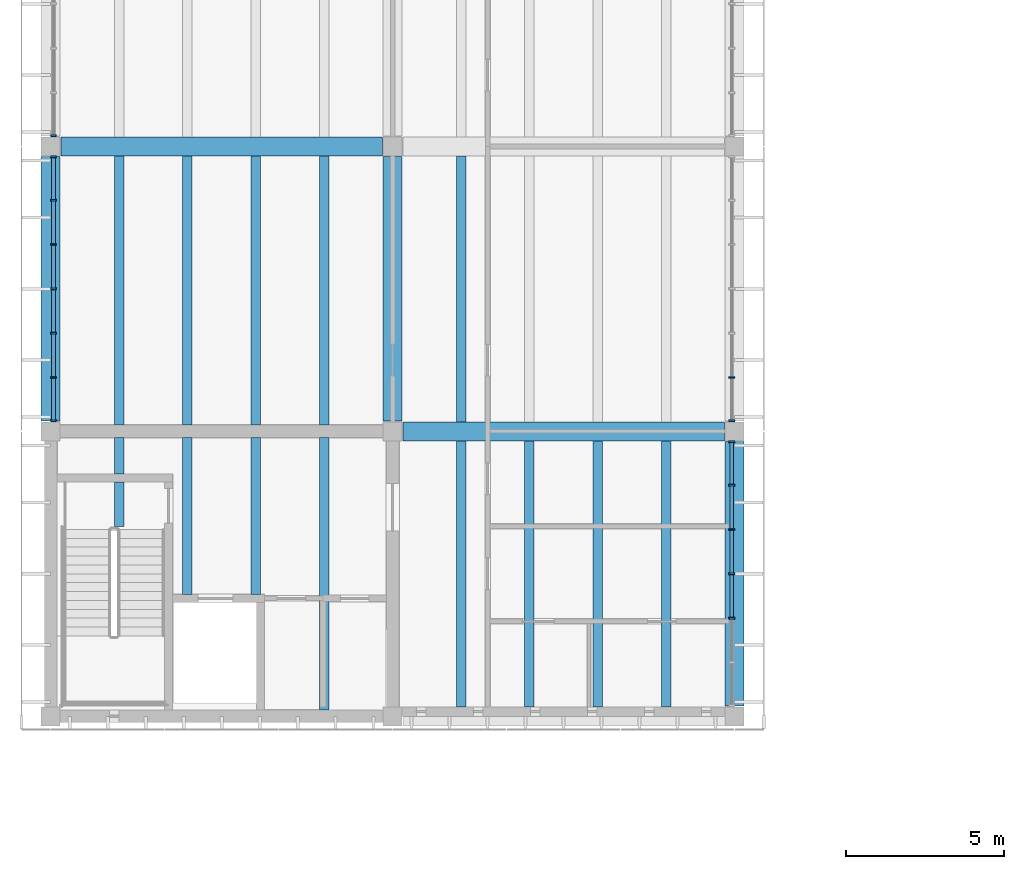
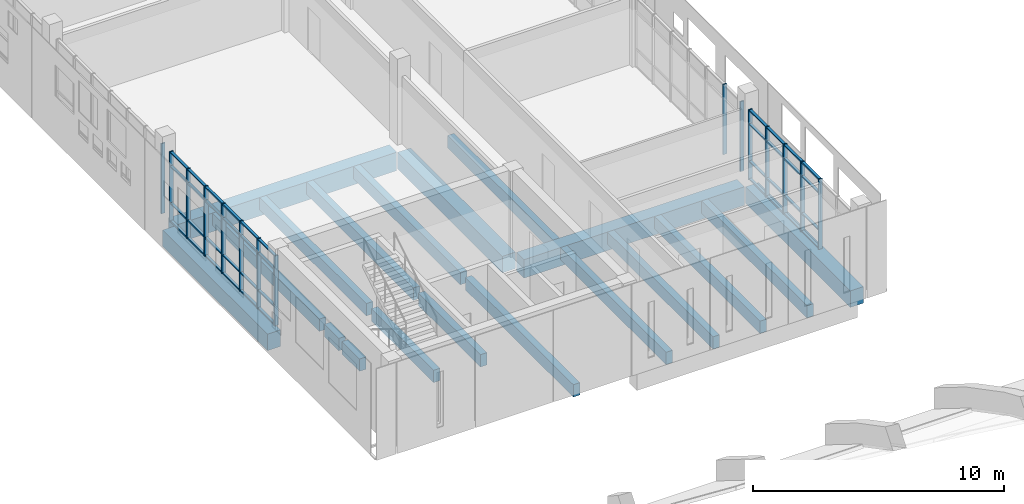
# One storey, part 14 of 88: 55 members, 19 beams, 4 elements without a shape of their own.
"""IFC4 building model written with IfcOpenShell, lengths in metres."""

import ifcopenshell
import ifcopenshell.guid

model = None  # the IFC model being written
_history = None  # IfcOwnerHistory: only IFC2X3 demands one
_inside = {}  # id of a spatial element -> (the spatial element, [elements in it])
_under = {}  # id of a project, library or spatial element -> (it, [spatial elements below it])
_declared = {}  # id of a project -> (the project, [libraries it declares])
_typed = {}  # id of a type object -> (the type object, [elements of that type])
_made_of = {}  # id of a material, layer set ... -> (it, [elements and type objects made of it])


def new_model(schema):
    """Start an empty IFC model of exactly this schema.

    Asked for "IFC4X3", IfcOpenShell would pick the latest addendum, in which some entities
    have other attributes; the version numbers below select the first issue.
    IFC2X3 requires an IfcOwnerHistory on every rooted entity: one is made here for all.
    """
    global model, _history
    if schema == "IFC4X3":
        model = ifcopenshell.file(schema_version=(4, 3, 0, 0))
    else:
        model = ifcopenshell.file(schema=schema)
    _inside.clear()
    _under.clear()
    _declared.clear()
    _typed.clear()
    _made_of.clear()
    _history = None
    if model.schema == "IFC2X3":
        org = make("IfcOrganization", Name="unknown")
        user = make(
            "IfcPersonAndOrganization",
            ThePerson=make("IfcPerson", FamilyName="unknown"),
            TheOrganization=org,
        )
        app = make(
            "IfcApplication",
            ApplicationDeveloper=org,
            Version="unknown",
            ApplicationFullName="unknown",
            ApplicationIdentifier="unknown",
        )
        _history = make(
            "IfcOwnerHistory",
            OwningUser=user,
            OwningApplication=app,
            ChangeAction="ADDED",
            CreationDate=0,
        )
    return model


def make(cls, **values):
    """One entity of the class cls with the attributes given. An attribute that is None is left unset."""
    return model.create_entity(
        cls, **{name: value for name, value in values.items() if value is not None}
    )


def rooted(cls, **values):
    """An entity with a GlobalId (a new one), such as an element, a storey or a relation."""
    return make(cls, GlobalId=ifcopenshell.guid.new(), OwnerHistory=_history, **values)


def si_unit(unit_type, name, prefix=None):
    """IfcSIUnit, for example si_unit("LENGTHUNIT", "METRE", prefix="MILLI")."""
    return make("IfcSIUnit", UnitType=unit_type, Prefix=prefix, Name=name)


def assignment(units):
    """IfcUnitAssignment: the units of a project."""
    return None if units is None else make("IfcUnitAssignment", Units=units)


def point(xyz):
    """IfcCartesianPoint."""
    return None if xyz is None else make("IfcCartesianPoint", Coordinates=xyz)


def direction(xyz):
    """IfcDirection."""
    return None if xyz is None else make("IfcDirection", DirectionRatios=xyz)


def frame(location, z_axis=None, x_axis=None):
    """IfcAxis2Placement3D, a coordinate frame: its origin and axes. An axis left out is left unset."""
    return make(
        "IfcAxis2Placement3D",
        Location=point(location),
        Axis=direction(z_axis),
        RefDirection=direction(x_axis),
    )


def frame_2d(location, x_axis=None):
    """IfcAxis2Placement2D, a coordinate frame in the plane: its origin and x axis."""
    return make(
        "IfcAxis2Placement2D", Location=point(location), RefDirection=direction(x_axis)
    )


def origin():
    """The frame at (0, 0, 0) with its axes left unset."""
    return frame((0.0, 0.0, 0.0))


def origin_2d():
    """The frame at (0, 0) in the plane with its x axis left unset."""
    return frame_2d((0.0, 0.0))


def place(relative_to, where):
    """IfcLocalPlacement: puts the frame where relative to a parent placement (None: the world)."""
    return make(
        "IfcLocalPlacement", PlacementRelTo=relative_to, RelativePlacement=where
    )


def context(
    kind, dimensions, precision=None, world=None, true_north=None, identifier=None
):
    """IfcGeometricRepresentationContext, for example the 3D "Model" context."""
    return make(
        "IfcGeometricRepresentationContext",
        ContextIdentifier=identifier,
        ContextType=kind,
        CoordinateSpaceDimension=dimensions,
        Precision=precision,
        WorldCoordinateSystem=world,
        TrueNorth=true_north,
    )


def subcontext(parent, identifier, kind, view, scale=None):
    """IfcGeometricRepresentationSubContext, for example "Body" below "Model"."""
    return make(
        "IfcGeometricRepresentationSubContext",
        ContextIdentifier=identifier,
        ContextType=kind,
        ParentContext=parent,
        TargetScale=scale,
        TargetView=view,
    )


def project(units=None, contexts=None):
    """IfcProject with its units and contexts."""
    return rooted(
        "IfcProject",
        Name="project",
        RepresentationContexts=contexts,
        UnitsInContext=assignment(units),
    )


def spatial(cls, under=None, at=None, **own):
    """A site, building, storey or space (cls), placed at a placement, below another one or the project."""
    s = rooted(cls, ObjectPlacement=at, **own)
    if under is not None:
        _under.setdefault(under.id(), (under, []))[1].append(s)
    return s


def profile(cls, at=None, kind="AREA", **sizes):
    """A parametric profile (cls). Its sizes go by their IFC names, for example OverallWidth=200.0."""
    return make(cls, ProfileType=kind, Position=at, **sizes)


def rectangle(**sizes):
    """IfcRectangleProfileDef."""
    return profile("IfcRectangleProfileDef", **sizes)


def extrude(swept, where, along, depth):
    """IfcExtrudedAreaSolid: the profile swept, set in the frame where, extruded along a direction by depth."""
    return make(
        "IfcExtrudedAreaSolid",
        SweptArea=swept,
        Position=where,
        ExtrudedDirection=direction(along),
        Depth=depth,
    )


def shape(context_of_items, identifier, shape_type, items):
    """IfcShapeRepresentation: the items that make up one representation, for example the "Body"."""
    return make(
        "IfcShapeRepresentation",
        ContextOfItems=context_of_items,
        RepresentationIdentifier=identifier,
        RepresentationType=shape_type,
        Items=items,
    )


def material(Name=None, Category=None):
    """IfcMaterial."""
    return make("IfcMaterial", Name=Name, Category=Category)


def material_profile(
    of_material, cross_section, Name=None, Category=None, Priority=None
):
    """IfcMaterialProfile: a cross section and its material."""
    return make(
        "IfcMaterialProfile",
        Name=Name,
        Material=of_material,
        Profile=cross_section,
        Priority=Priority,
        Category=Category,
    )


def profile_set(profiles, Name=None, composite=None):
    """IfcMaterialProfileSet."""
    return make(
        "IfcMaterialProfileSet",
        Name=Name,
        MaterialProfiles=profiles,
        CompositeProfile=composite,
    )


def made_of(thing, what):
    """Note that an element or type object is made of a material, layer set ...; save() writes the relation."""
    if what is not None:
        _made_of.setdefault(what.id(), (what, []))[1].append(thing)
    return thing


def type_object(cls, material=None, **own):
    """A type object (cls), such as IfcWallType, which elements share."""
    return made_of(rooted(cls, **own), material)


def element(
    cls,
    number,
    at=None,
    inside=None,
    cuts=None,
    type_object=None,
    material=None,
    context=None,
    identifier="Body",
    shape_type=None,
    held_by="IfcProductDefinitionShape",
    body=None,
    shapes=None,
    **own,
):
    """One element of the class cls, such as IfcWall. Its Tag is "e" and its number.

    at: its placement. inside: the storey or other place that contains it. cuts: it is an
    opening in that element (IfcRelVoidsElement). A single representation is given by context,
    identifier, shape_type and body (its items); several are given by shapes. held_by: the class
    of the entity that holds the representations. save() writes the other relations.
    """
    e = rooted(cls, Tag="e%d" % number, ObjectPlacement=at, **own)
    if body is not None:
        shapes = [shape(context, identifier, shape_type, body)]
    if shapes is not None:
        e.Representation = make(held_by, Representations=shapes)
    if inside is not None:
        _inside.setdefault(inside.id(), (inside, []))[1].append(e)
    if cuts is not None:
        rooted(
            "IfcRelVoidsElement", RelatingBuildingElement=cuts, RelatedOpeningElement=e
        )
    if type_object is not None:
        _typed.setdefault(type_object.id(), (type_object, []))[1].append(e)
    return made_of(e, material)


def aggregate(whole, parts):
    """IfcRelAggregates: a whole, such as a stair, and the parts it consists of."""
    return rooted("IfcRelAggregates", RelatingObject=whole, RelatedObjects=parts)


def save(model, path):
    """Write the relations noted so far, then the file.

    IfcRelAggregates (storeys below a building ...), IfcRelContainedInSpatialStructure (elements
    in a storey), IfcRelDefinesByType, IfcRelAssociatesMaterial and IfcRelDeclares: one each for
    every whole, place, type object, material and project.
    """
    for whole, parts in _under.values():
        aggregate(whole, parts)
    for where, things in _inside.values():
        rooted(
            "IfcRelContainedInSpatialStructure",
            RelatedElements=things,
            RelatingStructure=where,
        )
    for kind, things in _typed.values():
        rooted("IfcRelDefinesByType", RelatedObjects=things, RelatingType=kind)
    for what, things in _made_of.values():
        rooted("IfcRelAssociatesMaterial", RelatedObjects=things, RelatingMaterial=what)
    for by, libraries in _declared.values():
        rooted("IfcRelDeclares", RelatingContext=by, RelatedDefinitions=libraries)
    model.write(path)


model = new_model("IFC4")

# Units and contexts
model_context = context("Model", 3, precision=1e-05, world=origin(), true_north=direction((0.0, 1.0)))
body_context = subcontext(model_context, "Body", "Model", "MODEL_VIEW")
ifc_project = project(units=[si_unit("LENGTHUNIT", "METRE"), si_unit("AREAUNIT", "SQUARE_METRE"), si_unit("VOLUMEUNIT", "CUBIC_METRE"), si_unit("PLANEANGLEUNIT", "RADIAN"), si_unit("MASSUNIT", "GRAM", prefix="KILO")], contexts=[model_context])

# Site, building, storey
site_placement = place(None, origin())
site = spatial("IfcSite", under=ifc_project, at=site_placement, CompositionType="ELEMENT")
building_placement = place(site_placement, origin())
building = spatial("IfcBuilding", under=site, at=building_placement, Name="Merrow Basin Faculty of Sciences", CompositionType="ELEMENT")
storey_placement = place(building_placement, frame((0.0, 0.0, 9.0)))
storey = spatial("IfcBuildingStorey", under=building, at=storey_placement, Name="L02", CompositionType="ELEMENT", Elevation=9.0)

# Curtain wall, members
ifc_material_1 = material(Name="Aluminium alloy 6063", Category="aluminium")
curtain_wall_type = type_object("IfcCurtainWallType", Name="Bar unitised curtain wall 180", PredefinedType="NOTDEFINED", material=ifc_material_1)
curtain_wall_1_placement = place(storey_placement, origin())
curtain_wall_1 = element("IfcCurtainWall", 1, at=curtain_wall_1_placement, inside=storey, type_object=curtain_wall_type, Name="West curtain wall L02 1", PredefinedType="NOTDEFINED")
ifc_material_2 = material(Name="Aluminium alloy 6063", Category="aluminium")
ifc_material_profile_1 = material_profile(ifc_material_2, rectangle(XDim=0.179931640625, YDim=0.06005859375, at=origin_2d()))
ifc_profile_set_1 = profile_set([ifc_material_profile_1], Name="Aluminium alloy 6063")
member_type_1 = type_object("IfcMemberType", Name="Aluminium mullion 60x180", PredefinedType="MULLION", material=ifc_profile_set_1)
member_1_placement = place(storey_placement, frame((0.090087890625, 70.330078125, 0.0), z_axis=(0.0, 0.0, 1.0), x_axis=(-1.0, 0.0, 0.0)))
member_1 = element("IfcMember", 2, at=member_1_placement, type_object=member_type_1, Name="CW1 mullion 1", PredefinedType="MULLION", context=body_context, shape_type="SweptSolid", body=[
    extrude(rectangle(XDim=0.179931640625, YDim=0.06005859375, at=origin_2d()), origin(), (0.0, 0.0, 1.0), 3.39990234375),
])
member_2_placement = place(storey_placement, frame((0.090087890625, 71.699951171875, 0.0), z_axis=(0.0, 0.0, 1.0), x_axis=(-1.0, 0.0, 0.0)))
member_2 = element("IfcMember", 3, at=member_2_placement, type_object=member_type_1, Name="CW1 mullion 2", PredefinedType="MULLION", context=body_context, shape_type="SweptSolid", body=[
    extrude(rectangle(XDim=0.179931640625, YDim=0.06005859375, at=origin_2d()), origin(), (0.0, 0.0, 1.0), 3.39990234375),
])
member_3_placement = place(storey_placement, frame((0.090087890625, 73.10009765625, 0.0), z_axis=(0.0, 0.0, 1.0), x_axis=(-1.0, 0.0, 0.0)))
member_3 = element("IfcMember", 4, at=member_3_placement, type_object=member_type_1, Name="CW1 mullion 3", PredefinedType="MULLION", context=body_context, shape_type="SweptSolid", body=[
    extrude(rectangle(XDim=0.179931640625, YDim=0.06005859375, at=origin_2d()), origin(), (0.0, 0.0, 1.0), 3.39990234375),
])
member_4_placement = place(storey_placement, frame((0.090087890625, 74.5, 0.0), z_axis=(0.0, 0.0, 1.0), x_axis=(-1.0, 0.0, 0.0)))
member_4 = element("IfcMember", 5, at=member_4_placement, type_object=member_type_1, Name="CW1 mullion 4", PredefinedType="MULLION", context=body_context, shape_type="SweptSolid", body=[
    extrude(rectangle(XDim=0.179931640625, YDim=0.06005859375, at=origin_2d()), origin(), (0.0, 0.0, 1.0), 3.39990234375),
])
member_5_placement = place(storey_placement, frame((0.090087890625, 75.89990234375, 0.0), z_axis=(0.0, 0.0, 1.0), x_axis=(-1.0, 0.0, 0.0)))
member_5 = element("IfcMember", 6, at=member_5_placement, type_object=member_type_1, Name="CW1 mullion 5", PredefinedType="MULLION", context=body_context, shape_type="SweptSolid", body=[
    extrude(rectangle(XDim=0.179931640625, YDim=0.06005859375, at=origin_2d()), origin(), (0.0, 0.0, 1.0), 3.39990234375),
])
member_6_placement = place(storey_placement, frame((0.090087890625, 77.300048828125, 0.0), z_axis=(0.0, 0.0, 1.0), x_axis=(-1.0, 0.0, 0.0)))
member_6 = element("IfcMember", 7, at=member_6_placement, type_object=member_type_1, Name="CW1 mullion 6", PredefinedType="MULLION", context=body_context, shape_type="SweptSolid", body=[
    extrude(rectangle(XDim=0.179931640625, YDim=0.06005859375, at=origin_2d()), origin(), (0.0, 0.0, 1.0), 3.39990234375),
])
member_7_placement = place(storey_placement, frame((0.090087890625, 78.669921875, 0.0), z_axis=(0.0, 0.0, 1.0), x_axis=(-1.0, 0.0, 0.0)))
member_7 = element("IfcMember", 8, at=member_7_placement, type_object=member_type_1, Name="CW1 mullion 7", PredefinedType="MULLION", context=body_context, shape_type="SweptSolid", body=[
    extrude(rectangle(XDim=0.179931640625, YDim=0.06005859375, at=origin_2d()), origin(), (0.0, 0.0, 1.0), 3.39990234375),
])

# Curtain wall, member
curtain_wall_2_placement = place(storey_placement, origin())
curtain_wall_2 = element("IfcCurtainWall", 9, at=curtain_wall_2_placement, inside=storey, type_object=curtain_wall_type, Name="West curtain wall L02 2", PredefinedType="NOTDEFINED")
member_8_placement = place(storey_placement, frame((0.090087890625, 79.330078125, 0.0), z_axis=(0.0, 0.0, 1.0), x_axis=(-1.0, 0.0, 0.0)))
member_8 = element("IfcMember", 10, at=member_8_placement, type_object=member_type_1, Name="CW1 mullion 1", PredefinedType="MULLION", context=body_context, shape_type="SweptSolid", body=[
    extrude(rectangle(XDim=0.179931640625, YDim=0.06005859375, at=origin_2d()), origin(), (0.0, 0.0, 1.0), 3.39990234375),
])
aggregate(curtain_wall_2, [member_8])

# Curtain wall, members
curtain_wall_3_placement = place(storey_placement, origin())
curtain_wall_3 = element("IfcCurtainWall", 11, at=curtain_wall_3_placement, inside=storey, type_object=curtain_wall_type, Name="East curtain wall L02 1", PredefinedType="NOTDEFINED")
member_9_placement = place(storey_placement, frame((21.510009765625, 64.10009765625, 0.0), z_axis=(0.0, 0.0, 1.0), x_axis=(-1.0, 0.0, 0.0)))
member_9 = element("IfcMember", 12, at=member_9_placement, type_object=member_type_1, Name="CW1 mullion 3", PredefinedType="MULLION", context=body_context, shape_type="SweptSolid", body=[
    extrude(rectangle(XDim=0.179931640625, YDim=0.06005859375, at=origin_2d()), origin(), (0.0, 0.0, 1.0), 3.39990234375),
])
member_10_placement = place(storey_placement, frame((21.510009765625, 65.5, 0.0), z_axis=(0.0, 0.0, 1.0), x_axis=(-1.0, 0.0, 0.0)))
member_10 = element("IfcMember", 13, at=member_10_placement, type_object=member_type_1, Name="CW1 mullion 4", PredefinedType="MULLION", context=body_context, shape_type="SweptSolid", body=[
    extrude(rectangle(XDim=0.179931640625, YDim=0.06005859375, at=origin_2d()), origin(), (0.0, 0.0, 1.0), 3.39990234375),
])
member_11_placement = place(storey_placement, frame((21.510009765625, 66.89990234375, 0.0), z_axis=(0.0, 0.0, 1.0), x_axis=(-1.0, 0.0, 0.0)))
member_11 = element("IfcMember", 14, at=member_11_placement, type_object=member_type_1, Name="CW1 mullion 5", PredefinedType="MULLION", context=body_context, shape_type="SweptSolid", body=[
    extrude(rectangle(XDim=0.179931640625, YDim=0.06005859375, at=origin_2d()), origin(), (0.0, 0.0, 1.0), 3.39990234375),
])
member_12_placement = place(storey_placement, frame((21.510009765625, 68.300048828125, 0.0), z_axis=(0.0, 0.0, 1.0), x_axis=(-1.0, 0.0, 0.0)))
member_12 = element("IfcMember", 15, at=member_12_placement, type_object=member_type_1, Name="CW1 mullion 6", PredefinedType="MULLION", context=body_context, shape_type="SweptSolid", body=[
    extrude(rectangle(XDim=0.179931640625, YDim=0.06005859375, at=origin_2d()), origin(), (0.0, 0.0, 1.0), 3.39990234375),
])
member_13_placement = place(storey_placement, frame((21.510009765625, 69.669921875, 0.0), z_axis=(0.0, 0.0, 1.0), x_axis=(-1.0, 0.0, 0.0)))
member_13 = element("IfcMember", 16, at=member_13_placement, type_object=member_type_1, Name="CW1 mullion 7", PredefinedType="MULLION", context=body_context, shape_type="SweptSolid", body=[
    extrude(rectangle(XDim=0.179931640625, YDim=0.06005859375, at=origin_2d()), origin(), (0.0, 0.0, 1.0), 3.39990234375),
])

curtain_wall_4_placement = place(storey_placement, origin())
curtain_wall_4 = element("IfcCurtainWall", 17, at=curtain_wall_4_placement, inside=storey, type_object=curtain_wall_type, Name="East curtain wall L02 2", PredefinedType="NOTDEFINED")
member_14_placement = place(storey_placement, frame((21.510009765625, 70.330078125, 0.0), z_axis=(0.0, 0.0, 1.0), x_axis=(-1.0, 0.0, 0.0)))
member_14 = element("IfcMember", 18, at=member_14_placement, type_object=member_type_1, Name="CW1 mullion 1", PredefinedType="MULLION", context=body_context, shape_type="SweptSolid", body=[
    extrude(rectangle(XDim=0.179931640625, YDim=0.06005859375, at=origin_2d()), origin(), (0.0, 0.0, 1.0), 3.39990234375),
])
member_15_placement = place(storey_placement, frame((21.510009765625, 71.699951171875, 0.0), z_axis=(0.0, 0.0, 1.0), x_axis=(-1.0, 0.0, 0.0)))
member_15 = element("IfcMember", 19, at=member_15_placement, type_object=member_type_1, Name="CW1 mullion 2", PredefinedType="MULLION", context=body_context, shape_type="SweptSolid", body=[
    extrude(rectangle(XDim=0.179931640625, YDim=0.06005859375, at=origin_2d()), origin(), (0.0, 0.0, 1.0), 3.39990234375),
])
aggregate(curtain_wall_4, [member_14, member_15])

# Member
ifc_material_3 = material(Name="Aluminium alloy 6063", Category="aluminium")
ifc_material_profile_2 = material_profile(ifc_material_3, rectangle(XDim=0.1201171875, YDim=0.06005859375, at=origin_2d()))
ifc_profile_set_2 = profile_set([ifc_material_profile_2], Name="Aluminium alloy 6063")
member_type_2 = type_object("IfcMemberType", Name="Aluminium transom 60x120", PredefinedType="USERDEFINED", material=ifc_profile_set_2)
member_16_placement = place(storey_placement, frame((0.090087890625, 70.360107421875, 0.030029296875), z_axis=(0.0, 1.0, 0.0), x_axis=(-1.0, 0.0, 0.0)))
member_16 = element("IfcMember", 20, at=member_16_placement, type_object=member_type_2, Name="CW1 transom 1.1", ObjectType="TRANSOM", PredefinedType="USERDEFINED", context=body_context, shape_type="SweptSolid", body=[
    extrude(rectangle(XDim=0.1201171875, YDim=0.06005859375, at=origin_2d()), origin(), (0.0, 0.0, 1.0), 1.309814453125),
])

member_17_placement = place(storey_placement, frame((0.090087890625, 70.360107421875, 0.89990234375), z_axis=(0.0, 1.0, 0.0), x_axis=(-1.0, 0.0, 0.0)))
member_17 = element("IfcMember", 21, at=member_17_placement, type_object=member_type_2, Name="CW1 transom 1.2", ObjectType="TRANSOM", PredefinedType="USERDEFINED", context=body_context, shape_type="SweptSolid", body=[
    extrude(rectangle(XDim=0.1201171875, YDim=0.06005859375, at=origin_2d()), origin(), (0.0, 0.0, 1.0), 1.309814453125),
])

member_18_placement = place(storey_placement, frame((0.090087890625, 70.360107421875, 2.699951171875), z_axis=(0.0, 1.0, 0.0), x_axis=(-1.0, 0.0, 0.0)))
member_18 = element("IfcMember", 22, at=member_18_placement, type_object=member_type_2, Name="CW1 transom 1.3", ObjectType="TRANSOM", PredefinedType="USERDEFINED", context=body_context, shape_type="SweptSolid", body=[
    extrude(rectangle(XDim=0.1201171875, YDim=0.06005859375, at=origin_2d()), origin(), (0.0, 0.0, 1.0), 1.309814453125),
])

member_19_placement = place(storey_placement, frame((0.090087890625, 70.360107421875, 3.3701171875), z_axis=(0.0, 1.0, 0.0), x_axis=(-1.0, 0.0, 0.0)))
member_19 = element("IfcMember", 23, at=member_19_placement, type_object=member_type_2, Name="CW1 transom 1.4", ObjectType="TRANSOM", PredefinedType="USERDEFINED", context=body_context, shape_type="SweptSolid", body=[
    extrude(rectangle(XDim=0.1201171875, YDim=0.06005859375, at=origin_2d()), origin(), (0.0, 0.0, 1.0), 1.309814453125),
])

member_20_placement = place(storey_placement, frame((0.090087890625, 71.72998046875, 0.030029296875), z_axis=(0.0, 1.0, 0.0), x_axis=(-1.0, 0.0, 0.0)))
member_20 = element("IfcMember", 24, at=member_20_placement, type_object=member_type_2, Name="CW1 transom 2.1", ObjectType="TRANSOM", PredefinedType="USERDEFINED", context=body_context, shape_type="SweptSolid", body=[
    extrude(rectangle(XDim=0.1201171875, YDim=0.06005859375, at=origin_2d()), origin(), (0.0, 0.0, 1.0), 1.340087890625),
])

member_21_placement = place(storey_placement, frame((0.090087890625, 71.72998046875, 0.89990234375), z_axis=(0.0, 1.0, 0.0), x_axis=(-1.0, 0.0, 0.0)))
member_21 = element("IfcMember", 25, at=member_21_placement, type_object=member_type_2, Name="CW1 transom 2.2", ObjectType="TRANSOM", PredefinedType="USERDEFINED", context=body_context, shape_type="SweptSolid", body=[
    extrude(rectangle(XDim=0.1201171875, YDim=0.06005859375, at=origin_2d()), origin(), (0.0, 0.0, 1.0), 1.340087890625),
])

member_22_placement = place(storey_placement, frame((0.090087890625, 71.72998046875, 2.699951171875), z_axis=(0.0, 1.0, 0.0), x_axis=(-1.0, 0.0, 0.0)))
member_22 = element("IfcMember", 26, at=member_22_placement, type_object=member_type_2, Name="CW1 transom 2.3", ObjectType="TRANSOM", PredefinedType="USERDEFINED", context=body_context, shape_type="SweptSolid", body=[
    extrude(rectangle(XDim=0.1201171875, YDim=0.06005859375, at=origin_2d()), origin(), (0.0, 0.0, 1.0), 1.340087890625),
])

member_23_placement = place(storey_placement, frame((0.090087890625, 71.72998046875, 3.3701171875), z_axis=(0.0, 1.0, 0.0), x_axis=(-1.0, 0.0, 0.0)))
member_23 = element("IfcMember", 27, at=member_23_placement, type_object=member_type_2, Name="CW1 transom 2.4", ObjectType="TRANSOM", PredefinedType="USERDEFINED", context=body_context, shape_type="SweptSolid", body=[
    extrude(rectangle(XDim=0.1201171875, YDim=0.06005859375, at=origin_2d()), origin(), (0.0, 0.0, 1.0), 1.340087890625),
])

member_24_placement = place(storey_placement, frame((0.090087890625, 73.1298828125, 0.030029296875), z_axis=(0.0, 1.0, 0.0), x_axis=(-1.0, 0.0, 0.0)))
member_24 = element("IfcMember", 28, at=member_24_placement, type_object=member_type_2, Name="CW1 transom 3.1", ObjectType="TRANSOM", PredefinedType="USERDEFINED", context=body_context, shape_type="SweptSolid", body=[
    extrude(rectangle(XDim=0.1201171875, YDim=0.06005859375, at=origin_2d()), origin(), (0.0, 0.0, 1.0), 1.340087890625),
])

member_25_placement = place(storey_placement, frame((0.090087890625, 73.1298828125, 0.89990234375), z_axis=(0.0, 1.0, 0.0), x_axis=(-1.0, 0.0, 0.0)))
member_25 = element("IfcMember", 29, at=member_25_placement, type_object=member_type_2, Name="CW1 transom 3.2", ObjectType="TRANSOM", PredefinedType="USERDEFINED", context=body_context, shape_type="SweptSolid", body=[
    extrude(rectangle(XDim=0.1201171875, YDim=0.06005859375, at=origin_2d()), origin(), (0.0, 0.0, 1.0), 1.340087890625),
])

member_26_placement = place(storey_placement, frame((0.090087890625, 73.1298828125, 2.699951171875), z_axis=(0.0, 1.0, 0.0), x_axis=(-1.0, 0.0, 0.0)))
member_26 = element("IfcMember", 30, at=member_26_placement, type_object=member_type_2, Name="CW1 transom 3.3", ObjectType="TRANSOM", PredefinedType="USERDEFINED", context=body_context, shape_type="SweptSolid", body=[
    extrude(rectangle(XDim=0.1201171875, YDim=0.06005859375, at=origin_2d()), origin(), (0.0, 0.0, 1.0), 1.340087890625),
])

member_27_placement = place(storey_placement, frame((0.090087890625, 73.1298828125, 3.3701171875), z_axis=(0.0, 1.0, 0.0), x_axis=(-1.0, 0.0, 0.0)))
member_27 = element("IfcMember", 31, at=member_27_placement, type_object=member_type_2, Name="CW1 transom 3.4", ObjectType="TRANSOM", PredefinedType="USERDEFINED", context=body_context, shape_type="SweptSolid", body=[
    extrude(rectangle(XDim=0.1201171875, YDim=0.06005859375, at=origin_2d()), origin(), (0.0, 0.0, 1.0), 1.340087890625),
])

member_28_placement = place(storey_placement, frame((0.090087890625, 74.530029296875, 0.030029296875), z_axis=(0.0, 1.0, 0.0), x_axis=(-1.0, 0.0, 0.0)))
member_28 = element("IfcMember", 32, at=member_28_placement, type_object=member_type_2, Name="CW1 transom 4.1", ObjectType="TRANSOM", PredefinedType="USERDEFINED", context=body_context, shape_type="SweptSolid", body=[
    extrude(rectangle(XDim=0.1201171875, YDim=0.06005859375, at=origin_2d()), origin(), (0.0, 0.0, 1.0), 1.340087890625),
])

member_29_placement = place(storey_placement, frame((0.090087890625, 74.530029296875, 0.89990234375), z_axis=(0.0, 1.0, 0.0), x_axis=(-1.0, 0.0, 0.0)))
member_29 = element("IfcMember", 33, at=member_29_placement, type_object=member_type_2, Name="CW1 transom 4.2", ObjectType="TRANSOM", PredefinedType="USERDEFINED", context=body_context, shape_type="SweptSolid", body=[
    extrude(rectangle(XDim=0.1201171875, YDim=0.06005859375, at=origin_2d()), origin(), (0.0, 0.0, 1.0), 1.340087890625),
])

member_30_placement = place(storey_placement, frame((0.090087890625, 74.530029296875, 2.699951171875), z_axis=(0.0, 1.0, 0.0), x_axis=(-1.0, 0.0, 0.0)))
member_30 = element("IfcMember", 34, at=member_30_placement, type_object=member_type_2, Name="CW1 transom 4.3", ObjectType="TRANSOM", PredefinedType="USERDEFINED", context=body_context, shape_type="SweptSolid", body=[
    extrude(rectangle(XDim=0.1201171875, YDim=0.06005859375, at=origin_2d()), origin(), (0.0, 0.0, 1.0), 1.340087890625),
])

member_31_placement = place(storey_placement, frame((0.090087890625, 74.530029296875, 3.3701171875), z_axis=(0.0, 1.0, 0.0), x_axis=(-1.0, 0.0, 0.0)))
member_31 = element("IfcMember", 35, at=member_31_placement, type_object=member_type_2, Name="CW1 transom 4.4", ObjectType="TRANSOM", PredefinedType="USERDEFINED", context=body_context, shape_type="SweptSolid", body=[
    extrude(rectangle(XDim=0.1201171875, YDim=0.06005859375, at=origin_2d()), origin(), (0.0, 0.0, 1.0), 1.340087890625),
])

member_32_placement = place(storey_placement, frame((0.090087890625, 75.929931640625, 0.030029296875), z_axis=(0.0, 1.0, 0.0), x_axis=(-1.0, 0.0, 0.0)))
member_32 = element("IfcMember", 36, at=member_32_placement, type_object=member_type_2, Name="CW1 transom 5.1", ObjectType="TRANSOM", PredefinedType="USERDEFINED", context=body_context, shape_type="SweptSolid", body=[
    extrude(rectangle(XDim=0.1201171875, YDim=0.06005859375, at=origin_2d()), origin(), (0.0, 0.0, 1.0), 1.340087890625),
])

member_33_placement = place(storey_placement, frame((0.090087890625, 75.929931640625, 0.89990234375), z_axis=(0.0, 1.0, 0.0), x_axis=(-1.0, 0.0, 0.0)))
member_33 = element("IfcMember", 37, at=member_33_placement, type_object=member_type_2, Name="CW1 transom 5.2", ObjectType="TRANSOM", PredefinedType="USERDEFINED", context=body_context, shape_type="SweptSolid", body=[
    extrude(rectangle(XDim=0.1201171875, YDim=0.06005859375, at=origin_2d()), origin(), (0.0, 0.0, 1.0), 1.340087890625),
])

member_34_placement = place(storey_placement, frame((0.090087890625, 75.929931640625, 2.699951171875), z_axis=(0.0, 1.0, 0.0), x_axis=(-1.0, 0.0, 0.0)))
member_34 = element("IfcMember", 38, at=member_34_placement, type_object=member_type_2, Name="CW1 transom 5.3", ObjectType="TRANSOM", PredefinedType="USERDEFINED", context=body_context, shape_type="SweptSolid", body=[
    extrude(rectangle(XDim=0.1201171875, YDim=0.06005859375, at=origin_2d()), origin(), (0.0, 0.0, 1.0), 1.340087890625),
])

member_35_placement = place(storey_placement, frame((0.090087890625, 75.929931640625, 3.3701171875), z_axis=(0.0, 1.0, 0.0), x_axis=(-1.0, 0.0, 0.0)))
member_35 = element("IfcMember", 39, at=member_35_placement, type_object=member_type_2, Name="CW1 transom 5.4", ObjectType="TRANSOM", PredefinedType="USERDEFINED", context=body_context, shape_type="SweptSolid", body=[
    extrude(rectangle(XDim=0.1201171875, YDim=0.06005859375, at=origin_2d()), origin(), (0.0, 0.0, 1.0), 1.340087890625),
])

member_36_placement = place(storey_placement, frame((0.090087890625, 77.330078125, 0.030029296875), z_axis=(0.0, 1.0, 0.0), x_axis=(-1.0, 0.0, 0.0)))
member_36 = element("IfcMember", 40, at=member_36_placement, type_object=member_type_2, Name="CW1 transom 6.1", ObjectType="TRANSOM", PredefinedType="USERDEFINED", context=body_context, shape_type="SweptSolid", body=[
    extrude(rectangle(XDim=0.1201171875, YDim=0.06005859375, at=origin_2d()), origin(), (0.0, 0.0, 1.0), 1.309814453125),
])

member_37_placement = place(storey_placement, frame((0.090087890625, 77.330078125, 0.89990234375), z_axis=(0.0, 1.0, 0.0), x_axis=(-1.0, 0.0, 0.0)))
member_37 = element("IfcMember", 41, at=member_37_placement, type_object=member_type_2, Name="CW1 transom 6.2", ObjectType="TRANSOM", PredefinedType="USERDEFINED", context=body_context, shape_type="SweptSolid", body=[
    extrude(rectangle(XDim=0.1201171875, YDim=0.06005859375, at=origin_2d()), origin(), (0.0, 0.0, 1.0), 1.309814453125),
])

member_38_placement = place(storey_placement, frame((0.090087890625, 77.330078125, 2.699951171875), z_axis=(0.0, 1.0, 0.0), x_axis=(-1.0, 0.0, 0.0)))
member_38 = element("IfcMember", 42, at=member_38_placement, type_object=member_type_2, Name="CW1 transom 6.3", ObjectType="TRANSOM", PredefinedType="USERDEFINED", context=body_context, shape_type="SweptSolid", body=[
    extrude(rectangle(XDim=0.1201171875, YDim=0.06005859375, at=origin_2d()), origin(), (0.0, 0.0, 1.0), 1.309814453125),
])

member_39_placement = place(storey_placement, frame((0.090087890625, 77.330078125, 3.3701171875), z_axis=(0.0, 1.0, 0.0), x_axis=(-1.0, 0.0, 0.0)))
member_39 = element("IfcMember", 43, at=member_39_placement, type_object=member_type_2, Name="CW1 transom 6.4", ObjectType="TRANSOM", PredefinedType="USERDEFINED", context=body_context, shape_type="SweptSolid", body=[
    extrude(rectangle(XDim=0.1201171875, YDim=0.06005859375, at=origin_2d()), origin(), (0.0, 0.0, 1.0), 1.309814453125),
])

aggregate(curtain_wall_1, [member_1, member_2, member_3, member_4, member_5, member_6, member_7, member_16, member_17, member_18, member_19, member_20, member_21, member_22, member_23, member_24, member_25, member_26, member_27, member_28, member_29, member_30, member_31, member_32, member_33, member_34, member_35, member_36, member_37, member_38, member_39])

member_40_placement = place(storey_placement, frame((21.510009765625, 64.1298828125, 0.030029296875), z_axis=(0.0, 1.0, 0.0), x_axis=(-1.0, 0.0, 0.0)))
member_40 = element("IfcMember", 44, at=member_40_placement, type_object=member_type_2, Name="CW1 transom 3.1", ObjectType="TRANSOM", PredefinedType="USERDEFINED", context=body_context, shape_type="SweptSolid", body=[
    extrude(rectangle(XDim=0.1201171875, YDim=0.06005859375, at=origin_2d()), origin(), (0.0, 0.0, 1.0), 1.340087890625),
])

member_41_placement = place(storey_placement, frame((21.510009765625, 64.1298828125, 0.89990234375), z_axis=(0.0, 1.0, 0.0), x_axis=(-1.0, 0.0, 0.0)))
member_41 = element("IfcMember", 45, at=member_41_placement, type_object=member_type_2, Name="CW1 transom 3.2", ObjectType="TRANSOM", PredefinedType="USERDEFINED", context=body_context, shape_type="SweptSolid", body=[
    extrude(rectangle(XDim=0.1201171875, YDim=0.06005859375, at=origin_2d()), origin(), (0.0, 0.0, 1.0), 1.340087890625),
])

member_42_placement = place(storey_placement, frame((21.510009765625, 64.1298828125, 2.699951171875), z_axis=(0.0, 1.0, 0.0), x_axis=(-1.0, 0.0, 0.0)))
member_42 = element("IfcMember", 46, at=member_42_placement, type_object=member_type_2, Name="CW1 transom 3.3", ObjectType="TRANSOM", PredefinedType="USERDEFINED", context=body_context, shape_type="SweptSolid", body=[
    extrude(rectangle(XDim=0.1201171875, YDim=0.06005859375, at=origin_2d()), origin(), (0.0, 0.0, 1.0), 1.340087890625),
])

member_43_placement = place(storey_placement, frame((21.510009765625, 64.1298828125, 3.3701171875), z_axis=(0.0, 1.0, 0.0), x_axis=(-1.0, 0.0, 0.0)))
member_43 = element("IfcMember", 47, at=member_43_placement, type_object=member_type_2, Name="CW1 transom 3.4", ObjectType="TRANSOM", PredefinedType="USERDEFINED", context=body_context, shape_type="SweptSolid", body=[
    extrude(rectangle(XDim=0.1201171875, YDim=0.06005859375, at=origin_2d()), origin(), (0.0, 0.0, 1.0), 1.340087890625),
])

member_44_placement = place(storey_placement, frame((21.510009765625, 65.530029296875, 0.030029296875), z_axis=(0.0, 1.0, 0.0), x_axis=(-1.0, 0.0, 0.0)))
member_44 = element("IfcMember", 48, at=member_44_placement, type_object=member_type_2, Name="CW1 transom 4.1", ObjectType="TRANSOM", PredefinedType="USERDEFINED", context=body_context, shape_type="SweptSolid", body=[
    extrude(rectangle(XDim=0.1201171875, YDim=0.06005859375, at=origin_2d()), origin(), (0.0, 0.0, 1.0), 1.340087890625),
])

member_45_placement = place(storey_placement, frame((21.510009765625, 65.530029296875, 0.89990234375), z_axis=(0.0, 1.0, 0.0), x_axis=(-1.0, 0.0, 0.0)))
member_45 = element("IfcMember", 49, at=member_45_placement, type_object=member_type_2, Name="CW1 transom 4.2", ObjectType="TRANSOM", PredefinedType="USERDEFINED", context=body_context, shape_type="SweptSolid", body=[
    extrude(rectangle(XDim=0.1201171875, YDim=0.06005859375, at=origin_2d()), origin(), (0.0, 0.0, 1.0), 1.340087890625),
])

member_46_placement = place(storey_placement, frame((21.510009765625, 65.530029296875, 2.699951171875), z_axis=(0.0, 1.0, 0.0), x_axis=(-1.0, 0.0, 0.0)))
member_46 = element("IfcMember", 50, at=member_46_placement, type_object=member_type_2, Name="CW1 transom 4.3", ObjectType="TRANSOM", PredefinedType="USERDEFINED", context=body_context, shape_type="SweptSolid", body=[
    extrude(rectangle(XDim=0.1201171875, YDim=0.06005859375, at=origin_2d()), origin(), (0.0, 0.0, 1.0), 1.340087890625),
])

member_47_placement = place(storey_placement, frame((21.510009765625, 65.530029296875, 3.3701171875), z_axis=(0.0, 1.0, 0.0), x_axis=(-1.0, 0.0, 0.0)))
member_47 = element("IfcMember", 51, at=member_47_placement, type_object=member_type_2, Name="CW1 transom 4.4", ObjectType="TRANSOM", PredefinedType="USERDEFINED", context=body_context, shape_type="SweptSolid", body=[
    extrude(rectangle(XDim=0.1201171875, YDim=0.06005859375, at=origin_2d()), origin(), (0.0, 0.0, 1.0), 1.340087890625),
])

member_48_placement = place(storey_placement, frame((21.510009765625, 66.929931640625, 0.030029296875), z_axis=(0.0, 1.0, 0.0), x_axis=(-1.0, 0.0, 0.0)))
member_48 = element("IfcMember", 52, at=member_48_placement, type_object=member_type_2, Name="CW1 transom 5.1", ObjectType="TRANSOM", PredefinedType="USERDEFINED", context=body_context, shape_type="SweptSolid", body=[
    extrude(rectangle(XDim=0.1201171875, YDim=0.06005859375, at=origin_2d()), origin(), (0.0, 0.0, 1.0), 1.340087890625),
])

member_49_placement = place(storey_placement, frame((21.510009765625, 66.929931640625, 0.89990234375), z_axis=(0.0, 1.0, 0.0), x_axis=(-1.0, 0.0, 0.0)))
member_49 = element("IfcMember", 53, at=member_49_placement, type_object=member_type_2, Name="CW1 transom 5.2", ObjectType="TRANSOM", PredefinedType="USERDEFINED", context=body_context, shape_type="SweptSolid", body=[
    extrude(rectangle(XDim=0.1201171875, YDim=0.06005859375, at=origin_2d()), origin(), (0.0, 0.0, 1.0), 1.340087890625),
])

member_50_placement = place(storey_placement, frame((21.510009765625, 66.929931640625, 2.699951171875), z_axis=(0.0, 1.0, 0.0), x_axis=(-1.0, 0.0, 0.0)))
member_50 = element("IfcMember", 54, at=member_50_placement, type_object=member_type_2, Name="CW1 transom 5.3", ObjectType="TRANSOM", PredefinedType="USERDEFINED", context=body_context, shape_type="SweptSolid", body=[
    extrude(rectangle(XDim=0.1201171875, YDim=0.06005859375, at=origin_2d()), origin(), (0.0, 0.0, 1.0), 1.340087890625),
])

member_51_placement = place(storey_placement, frame((21.510009765625, 66.929931640625, 3.3701171875), z_axis=(0.0, 1.0, 0.0), x_axis=(-1.0, 0.0, 0.0)))
member_51 = element("IfcMember", 55, at=member_51_placement, type_object=member_type_2, Name="CW1 transom 5.4", ObjectType="TRANSOM", PredefinedType="USERDEFINED", context=body_context, shape_type="SweptSolid", body=[
    extrude(rectangle(XDim=0.1201171875, YDim=0.06005859375, at=origin_2d()), origin(), (0.0, 0.0, 1.0), 1.340087890625),
])

member_52_placement = place(storey_placement, frame((21.510009765625, 68.330078125, 0.030029296875), z_axis=(0.0, 1.0, 0.0), x_axis=(-1.0, 0.0, 0.0)))
member_52 = element("IfcMember", 56, at=member_52_placement, type_object=member_type_2, Name="CW1 transom 6.1", ObjectType="TRANSOM", PredefinedType="USERDEFINED", context=body_context, shape_type="SweptSolid", body=[
    extrude(rectangle(XDim=0.1201171875, YDim=0.06005859375, at=origin_2d()), origin(), (0.0, 0.0, 1.0), 1.309814453125),
])

member_53_placement = place(storey_placement, frame((21.510009765625, 68.330078125, 0.89990234375), z_axis=(0.0, 1.0, 0.0), x_axis=(-1.0, 0.0, 0.0)))
member_53 = element("IfcMember", 57, at=member_53_placement, type_object=member_type_2, Name="CW1 transom 6.2", ObjectType="TRANSOM", PredefinedType="USERDEFINED", context=body_context, shape_type="SweptSolid", body=[
    extrude(rectangle(XDim=0.1201171875, YDim=0.06005859375, at=origin_2d()), origin(), (0.0, 0.0, 1.0), 1.309814453125),
])

member_54_placement = place(storey_placement, frame((21.510009765625, 68.330078125, 2.699951171875), z_axis=(0.0, 1.0, 0.0), x_axis=(-1.0, 0.0, 0.0)))
member_54 = element("IfcMember", 58, at=member_54_placement, type_object=member_type_2, Name="CW1 transom 6.3", ObjectType="TRANSOM", PredefinedType="USERDEFINED", context=body_context, shape_type="SweptSolid", body=[
    extrude(rectangle(XDim=0.1201171875, YDim=0.06005859375, at=origin_2d()), origin(), (0.0, 0.0, 1.0), 1.309814453125),
])

member_55_placement = place(storey_placement, frame((21.510009765625, 68.330078125, 3.3701171875), z_axis=(0.0, 1.0, 0.0), x_axis=(-1.0, 0.0, 0.0)))
member_55 = element("IfcMember", 59, at=member_55_placement, type_object=member_type_2, Name="CW1 transom 6.4", ObjectType="TRANSOM", PredefinedType="USERDEFINED", context=body_context, shape_type="SweptSolid", body=[
    extrude(rectangle(XDim=0.1201171875, YDim=0.06005859375, at=origin_2d()), origin(), (0.0, 0.0, 1.0), 1.309814453125),
])

aggregate(curtain_wall_3, [member_9, member_10, member_11, member_12, member_13, member_40, member_41, member_42, member_43, member_44, member_45, member_46, member_47, member_48, member_49, member_50, member_51, member_52, member_53, member_54, member_55])

# Beams
ifc_material_4 = material(Name="Concrete C40/50", Category="concrete")
ifc_material_profile_3 = material_profile(ifc_material_4, rectangle(XDim=0.60009765625, YDim=0.800048828125, at=origin_2d()))
ifc_profile_set_3 = profile_set([ifc_material_profile_3], Name="Concrete C40/50")
beam_type_1 = type_object("IfcBeamType", Name="Beam RC600x800 C40/50", PredefinedType="BEAM", material=ifc_profile_set_3)
for number, where, z_axis, x_axis, name in (
    (60, (0.0, 70.324951171875, -0.699951171875), (0.0, 1.0, 0.0), (-1.0, 0.0, 0.0), "B2 L02 015"),
    (61, (10.800048828125, 70.324951171875, -0.699951171875), (0.0, 1.0, 0.0), (-1.0, 0.0, 0.0), "B2 L02 022"),
    (62, (21.60009765625, 61.324951171875, -0.699951171875), (0.0, 1.0, 0.0), (-1.0, 0.0, 0.0), "B2 L02 028"),
):
    element("IfcBeam", number, at=place(storey_placement, frame(where, z_axis=z_axis, x_axis=x_axis)), inside=storey, type_object=beam_type_1, Name=name, PredefinedType="BEAM", context=body_context, shape_type="SweptSolid", body=[
        extrude(rectangle(XDim=0.60009765625, YDim=0.800048828125, at=origin_2d()), origin(), (0.0, 0.0, 1.0), 8.35009765625),
    ])
ifc_material_5 = material(Name="Concrete C40/50", Category="concrete")
ifc_material_profile_4 = material_profile(ifc_material_5, rectangle(XDim=0.60009765625, YDim=0.89990234375, at=origin_2d()))
ifc_profile_set_4 = profile_set([ifc_material_profile_4], Name="Concrete C40/50")
beam_type_2 = type_object("IfcBeamType", Name="Beam RC600x900 C40/50", PredefinedType="BEAM", material=ifc_profile_set_4)
beam_1_placement = place(storey_placement, frame((11.125, 70.0, -0.75), z_axis=(1.0, 0.0, 0.0), x_axis=(0.0, 1.0, 0.0)))
element("IfcBeam", 63, at=beam_1_placement, inside=storey, type_object=beam_type_2, Name="B1 L02 002", PredefinedType="BEAM", context=body_context, shape_type="SweptSolid", body=[
    extrude(rectangle(XDim=0.60009765625, YDim=0.89990234375, at=origin_2d()), origin(), (0.0, 0.0, 1.0), 10.14990234375),
])
beam_2_placement = place(storey_placement, frame((0.324951171875, 79.0, -0.75), z_axis=(1.0, 0.0, 0.0), x_axis=(0.0, 1.0, 0.0)))
element("IfcBeam", 64, at=beam_2_placement, inside=storey, type_object=beam_type_2, Name="B1 L02 003", PredefinedType="BEAM", context=body_context, shape_type="SweptSolid", body=[
    extrude(rectangle(XDim=0.60009765625, YDim=0.89990234375, at=origin_2d()), origin(), (0.0, 0.0, 1.0), 10.150146484375),
])
ifc_material_6 = material(Name="Concrete C40/50", Category="concrete")
ifc_material_profile_5 = material_profile(ifc_material_6, rectangle(XDim=0.300048828125, YDim=0.60009765625, at=origin_2d()))
ifc_profile_set_5 = profile_set([ifc_material_profile_5], Name="Concrete C40/50")
beam_type_3 = type_object("IfcBeamType", Name="Laboratory floor joist RC300x600 C40/50", PredefinedType="BEAM", material=ifc_profile_set_5)
beam_3_placement = place(storey_placement, frame((2.159912109375, 67.0, -0.60009765625), z_axis=(0.0, 1.0, 0.0), x_axis=(-1.0, 0.0, 0.0)))
element("IfcBeam", 65, at=beam_3_placement, inside=storey, type_object=beam_type_3, Name="JL1 L02 034", PredefinedType="BEAM", context=body_context, shape_type="SweptSolid", body=[
    extrude(rectangle(XDim=0.300048828125, YDim=0.60009765625, at=origin_2d()), origin(), (0.0, 0.0, 1.0), 1.39990234375),
])
beam_4_placement = place(storey_placement, frame((2.159912109375, 68.64990234375, -0.60009765625), z_axis=(0.0, 1.0, 0.0), x_axis=(-1.0, 0.0, 0.0)))
element("IfcBeam", 66, at=beam_4_placement, inside=storey, type_object=beam_type_3, Name="JL1 L02 035", PredefinedType="BEAM", context=body_context, shape_type="SweptSolid", body=[
    extrude(rectangle(XDim=0.300048828125, YDim=0.60009765625, at=origin_2d()), origin(), (0.0, 0.0, 1.0), 1.150146484375),
])
for number, where, z_axis, x_axis, name in (
    (67, (4.320068359375, 64.85009765625, -0.60009765625), (0.0, 1.0, 0.0), (-1.0, 0.0, 0.0), "JL1 L02 036"),
    (68, (6.47998046875, 64.85009765625, -0.60009765625), (0.0, 1.0, 0.0), (-1.0, 0.0, 0.0), "JL1 L02 037"),
):
    element("IfcBeam", number, at=place(storey_placement, frame(where, z_axis=z_axis, x_axis=x_axis)), inside=storey, type_object=beam_type_3, Name=name, PredefinedType="BEAM", context=body_context, shape_type="SweptSolid", body=[
        extrude(rectangle(XDim=0.300048828125, YDim=0.60009765625, at=origin_2d()), origin(), (0.0, 0.0, 1.0), 4.949951171875),
    ])
beam_5_placement = place(storey_placement, frame((8.639892578125, 61.199951171875, -0.60009765625), z_axis=(0.0, 1.0, 0.0), x_axis=(-1.0, 0.0, 0.0)))
element("IfcBeam", 69, at=beam_5_placement, inside=storey, type_object=beam_type_3, Name="JL1 L02 038", PredefinedType="BEAM", context=body_context, shape_type="SweptSolid", body=[
    extrude(rectangle(XDim=0.300048828125, YDim=0.60009765625, at=origin_2d()), origin(), (0.0, 0.0, 1.0), 8.60009765625),
])
for number, where, z_axis, x_axis, name in (
    (70, (2.159912109375, 70.199951171875, -0.60009765625), (0.0, 1.0, 0.0), (-1.0, 0.0, 0.0), "JL1 L02 039"),
    (71, (4.320068359375, 70.199951171875, -0.60009765625), (0.0, 1.0, 0.0), (-1.0, 0.0, 0.0), "JL1 L02 040"),
    (72, (6.47998046875, 70.199951171875, -0.60009765625), (0.0, 1.0, 0.0), (-1.0, 0.0, 0.0), "JL1 L02 041"),
    (73, (8.639892578125, 70.199951171875, -0.60009765625), (0.0, 1.0, 0.0), (-1.0, 0.0, 0.0), "JL1 L02 042"),
):
    element("IfcBeam", number, at=place(storey_placement, frame(where, z_axis=z_axis, x_axis=x_axis)), inside=storey, type_object=beam_type_3, Name=name, PredefinedType="BEAM", context=body_context, shape_type="SweptSolid", body=[
        extrude(rectangle(XDim=0.300048828125, YDim=0.60009765625, at=origin_2d()), origin(), (0.0, 0.0, 1.0), 8.5),
    ])
for number, where, z_axis, x_axis, name in (
    (74, (12.9599609375, 61.300048828125, -0.60009765625), (0.0, 1.0, 0.0), (-1.0, 0.0, 0.0), "JL1 L02 067"),
    (75, (15.1201171875, 61.300048828125, -0.60009765625), (0.0, 1.0, 0.0), (-1.0, 0.0, 0.0), "JL1 L02 068"),
    (76, (17.280029296875, 61.300048828125, -0.60009765625), (0.0, 1.0, 0.0), (-1.0, 0.0, 0.0), "JL1 L02 069"),
    (77, (19.43994140625, 61.300048828125, -0.60009765625), (0.0, 1.0, 0.0), (-1.0, 0.0, 0.0), "JL1 L02 070"),
    (78, (12.9599609375, 70.300048828125, -0.60009765625), (0.0, 1.0, 0.0), (-1.0, 0.0, 0.0), "JL1 L02 071"),
):
    element("IfcBeam", number, at=place(storey_placement, frame(where, z_axis=z_axis, x_axis=x_axis)), inside=storey, type_object=beam_type_3, Name=name, PredefinedType="BEAM", context=body_context, shape_type="SweptSolid", body=[
        extrude(rectangle(XDim=0.300048828125, YDim=0.60009765625, at=origin_2d()), origin(), (0.0, 0.0, 1.0), 8.39990234375),
    ])

save(model, "model.ifc")
